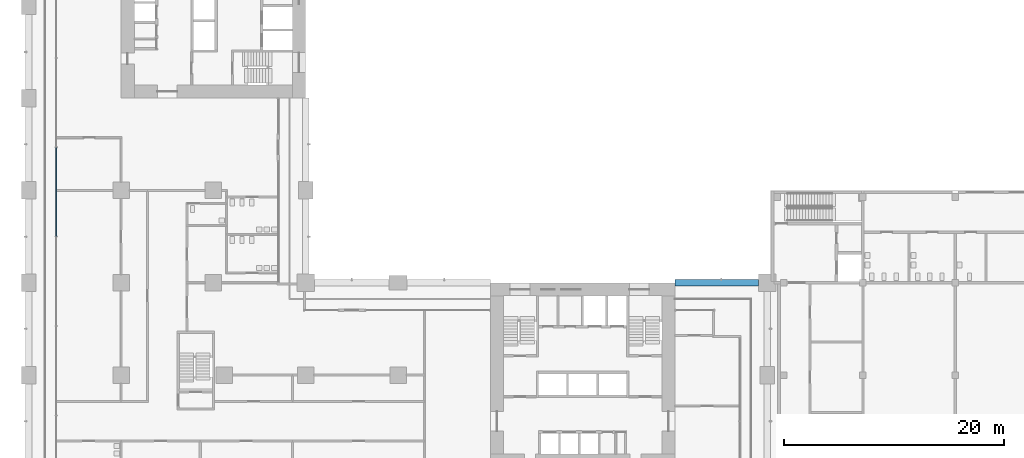
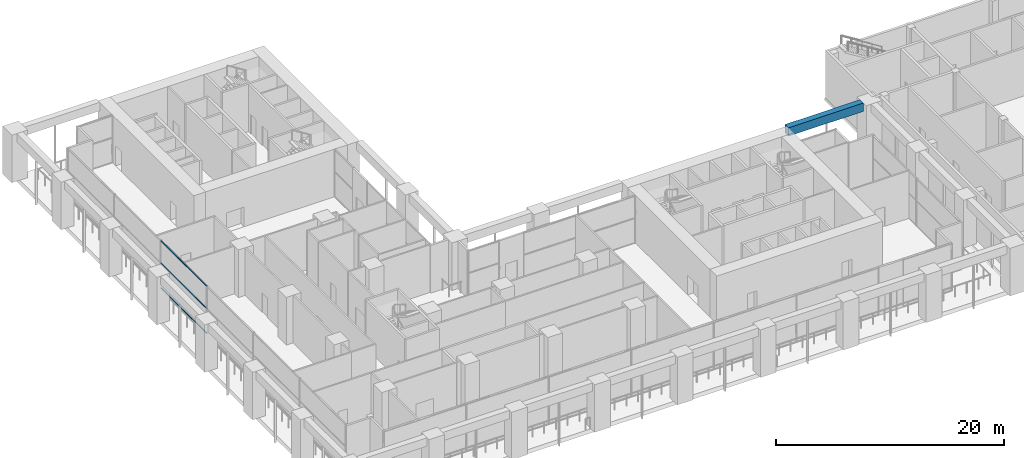
# One storey, part 9 of 33: 3 members, 1 beam, 1 element without a shape of its own.
"""IFC4 building model written with IfcOpenShell, lengths in metres."""

from ifc_helpers import new_model, si_unit, direction, frame, origin, origin_2d, place, context, subcontext, project, spatial, rectangle, extrude, material, material_profile, profile_set, type_object, element, aggregate, save


model = new_model("IFC4")

# Units and contexts
model_context = context("Model", 3, precision=1e-05, world=origin(), true_north=direction((0.0, 1.0)))
body_context = subcontext(model_context, "Body", "Model", "MODEL_VIEW")
ifc_project = project(units=[si_unit("LENGTHUNIT", "METRE"), si_unit("AREAUNIT", "SQUARE_METRE"), si_unit("VOLUMEUNIT", "CUBIC_METRE"), si_unit("PLANEANGLEUNIT", "RADIAN"), si_unit("MASSUNIT", "GRAM", prefix="KILO")], contexts=[model_context])

# Site, building, storey
site_placement = place(None, origin())
site = spatial("IfcSite", under=ifc_project, at=site_placement, CompositionType="ELEMENT")
building_placement = place(site_placement, origin())
building = spatial("IfcBuilding", under=site, at=building_placement, Name="Vermilion Gate Residences", CompositionType="ELEMENT")
storey_placement = place(building_placement, frame((0.0, 0.0, 14.39990234375)))
storey = spatial("IfcBuildingStorey", under=building, at=storey_placement, Name="L02", CompositionType="ELEMENT", Elevation=14.39990234375)

# Curtain wall, members
ifc_material_1 = material(Name="Aluminium and glass", Category="aluminium")
curtain_wall_type = type_object("IfcCurtainWallType", Name="AMENITY GLAZING CURTAIN WALL", PredefinedType="NOTDEFINED", material=ifc_material_1)
curtain_wall_placement = place(storey_placement, origin())
curtain_wall = element("IfcCurtainWall", 1, at=curtain_wall_placement, inside=storey, type_object=curtain_wall_type, Name="Amenity Glazing 30", PredefinedType="NOTDEFINED")
ifc_material_2 = material(Name="Aluminium", Category="aluminium")
ifc_material_profile_1 = material_profile(ifc_material_2, rectangle(XDim=0.1201171875, YDim=0.06005859375, at=origin_2d()), Name="TRANSOM 60 X 120")
ifc_profile_set_1 = profile_set([ifc_material_profile_1], Name="Aluminium")
member_type = type_object("IfcMemberType", Name="AMENITY GLAZING TRANSOM 60 X 120", PredefinedType="MULLION", material=ifc_profile_set_1)
member_1_placement = place(storey_placement, frame((2.5, 37.50341796875, 0.030029296875), z_axis=(0.0, -1.0, 0.0), x_axis=(1.0, 0.0, 0.0)))
member_1 = element("IfcMember", 2, at=member_1_placement, type_object=member_type, Name="ECW2 transom 3.1", PredefinedType="MULLION", context=body_context, shape_type="SweptSolid", body=[
    extrude(rectangle(XDim=0.1201171875, YDim=0.06005859375, at=origin_2d()), origin(), (0.0, 0.0, 1.0), 8.073486328125),
])
member_2_placement = place(storey_placement, frame((2.5, 37.50341796875, 2.7001953125), z_axis=(0.0, -1.0, 0.0), x_axis=(1.0, 0.0, 0.0)))
member_2 = element("IfcMember", 3, at=member_2_placement, type_object=member_type, Name="ECW2 transom 3.2", PredefinedType="MULLION", context=body_context, shape_type="SweptSolid", body=[
    extrude(rectangle(XDim=0.1201171875, YDim=0.06005859375, at=origin_2d()), origin(), (0.0, 0.0, 1.0), 8.073486328125),
])
member_3_placement = place(storey_placement, frame((2.5, 37.50341796875, 5.070068359375), z_axis=(0.0, -1.0, 0.0), x_axis=(1.0, 0.0, 0.0)))
member_3 = element("IfcMember", 4, at=member_3_placement, type_object=member_type, Name="ECW2 transom 3.3", PredefinedType="MULLION", context=body_context, shape_type="SweptSolid", body=[
    extrude(rectangle(XDim=0.1201171875, YDim=0.06005859375, at=origin_2d()), origin(), (0.0, 0.0, 1.0), 8.073486328125),
])
aggregate(curtain_wall, [member_1, member_2, member_3])

# Beam
ifc_material_3 = material(Name="Concrete C60 red-oxide pigmented", Category="concrete")
ifc_material_profile_2 = material_profile(ifc_material_3, rectangle(XDim=0.60009765625, YDim=0.89990234375, at=origin_2d()), Name="RC-600x900")
ifc_profile_set_2 = profile_set([ifc_material_profile_2], Name="Concrete C60 red-oxide pigmented")
beam_type = type_object("IfcBeamType", Name="RC EDGE BEAM 600 X 900 C60", PredefinedType="BEAM", material=ifc_profile_set_2)
beam_placement = place(storey_placement, frame((58.800048828125, 25.199951171875, 4.650146484375), z_axis=(1.0, 0.0, 0.0), x_axis=(0.0, 1.0, 0.0)))
element("IfcBeam", 5, at=beam_placement, inside=storey, type_object=beam_type, Name="Edge beam L02 24", PredefinedType="BEAM", context=body_context, shape_type="SweptSolid", body=[
    extrude(rectangle(XDim=0.60009765625, YDim=0.89990234375, at=origin_2d()), origin(), (0.0, 0.0, 1.0), 7.599853515625),
])

save(model, "model.ifc")
